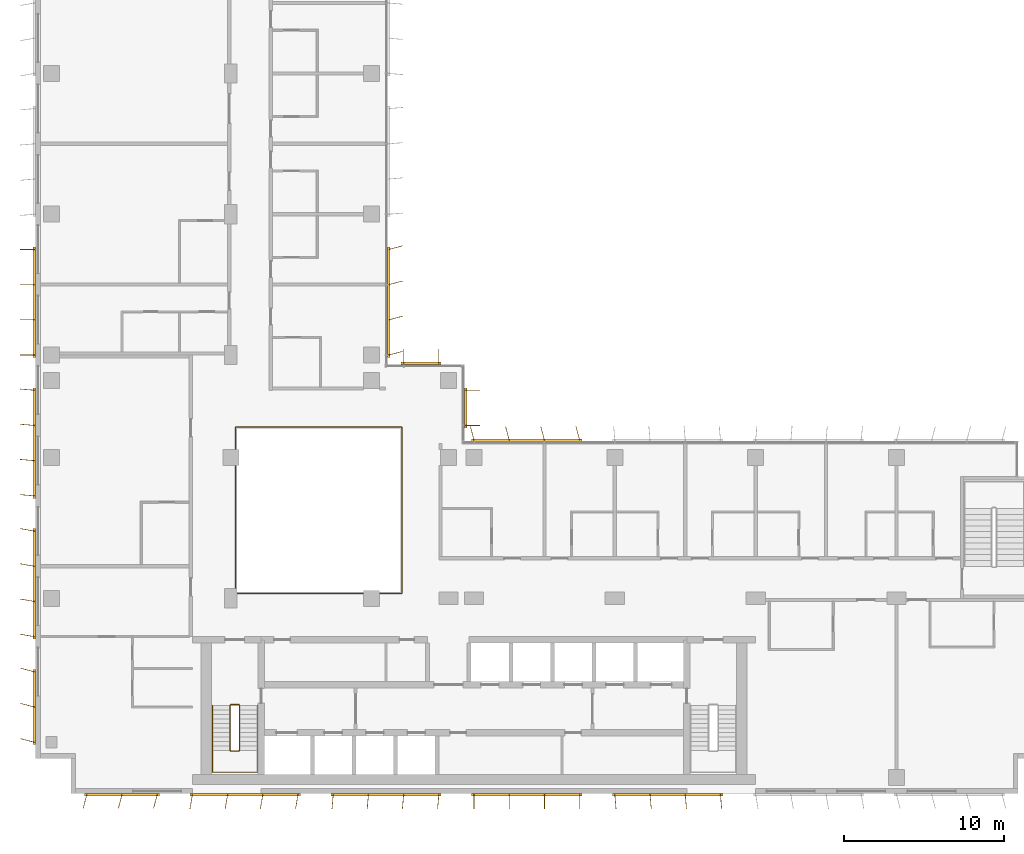
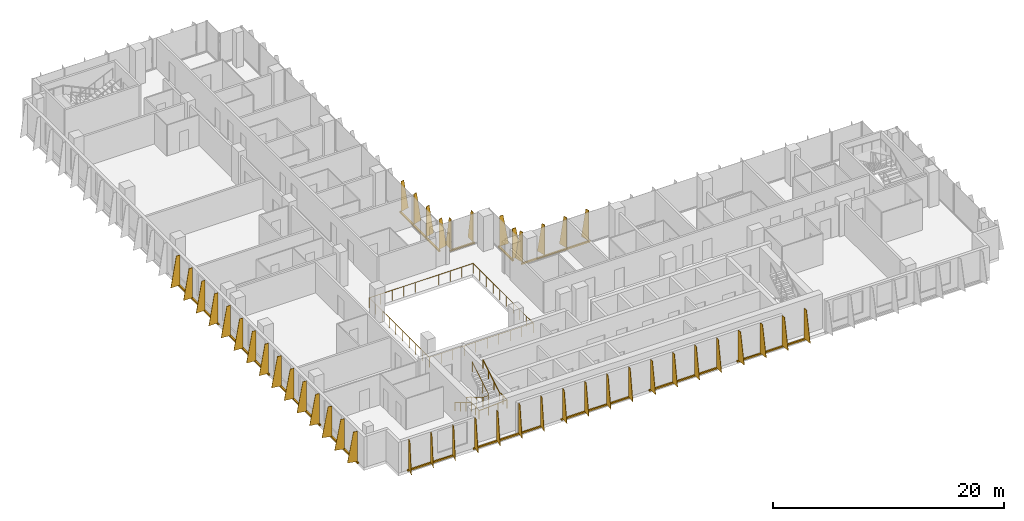
# One storey, part 19 of 21: 13 shading devices, 3 railings.
"""IFC4 building model written with IfcOpenShell, lengths in metres."""

from ifc_helpers import new_model, si_unit, direction, frame, origin, origin_2d, place, context, subcontext, project, spatial, polyline, rectangle, circle, outline, extrude, source, transform, mapped, material, layer, layer_set, type_object, element, save


model = new_model("IFC4")

# Units and contexts
model_context = context("Model", 3, precision=1e-05, world=origin(), true_north=direction((0.0, 1.0)))
body_context = subcontext(model_context, "Body", "Model", "MODEL_VIEW")
ifc_project = project(units=[si_unit("LENGTHUNIT", "METRE"), si_unit("AREAUNIT", "SQUARE_METRE"), si_unit("VOLUMEUNIT", "CUBIC_METRE"), si_unit("PLANEANGLEUNIT", "RADIAN"), si_unit("MASSUNIT", "GRAM", prefix="KILO")], contexts=[model_context])

# Site, building, storey
site_placement = place(None, origin())
site = spatial("IfcSite", under=ifc_project, at=site_placement, CompositionType="ELEMENT")
building_placement = place(site_placement, origin())
building = spatial("IfcBuilding", under=site, at=building_placement, Name="Kemantara Hotel Tower", CompositionType="ELEMENT")
storey_placement = place(building_placement, frame((0.0, 0.0, 219.10009765625)))
storey = spatial("IfcBuildingStorey", under=building, at=storey_placement, Name="L54", CompositionType="ELEMENT", Elevation=219.10009765625)

# Railings
ifc_material_1 = material(Name="Stainless steel and laminated glass balustrade", Category="steel")
railing_type_1 = type_object("IfcRailingType", Name="ATRIUM GUARD 1100", PredefinedType="GUARDRAIL", material=ifc_material_1)
railing_1_placement = place(storey_placement, frame((12.56005859375, 12.5, 0.0)))
element("IfcRailing", 1, at=railing_1_placement, inside=storey, type_object=railing_type_1, Name="ATRIUM GUARD L54", PredefinedType="GUARDRAIL", context=body_context, shape_type="SweptSolid", body=[
    extrude(circle(Radius=0.02490234375, at=origin_2d()), frame((0.0, 0.0, 1.0751953125), z_axis=(1.0, 0.0, 0.0), x_axis=(0.0, 1.0, 0.0)), (0.0, 0.0, 1.0), 10.33984375),
    extrude(circle(Radius=0.02490234375, at=origin_2d()), frame((10.33984375, 0.0, 1.0751953125), z_axis=(0.0, 1.0, 0.0), x_axis=(-1.0, 0.0, 0.0)), (0.0, 0.0, 1.0), 10.39990234375),
    extrude(circle(Radius=0.02490234375, at=origin_2d()), frame((10.33984375, 10.39990234375, 1.0751953125), z_axis=(-1.0, 0.0, 0.0), x_axis=(0.0, -1.0, 0.0)), (0.0, 0.0, 1.0), 10.39990234375),
    extrude(circle(Radius=0.02490234375, at=origin_2d()), frame((-0.06005859375, 10.39990234375, 1.0751953125), z_axis=(0.0, -1.0, 0.0), x_axis=(1.0, 0.0, 0.0)), (0.0, 0.0, 1.0), 10.39990234375),
    extrude(circle(Radius=0.02001953125, at=origin_2d()), origin(), (0.0, 0.0, 1.0), 1.050048828125),
    extrude(circle(Radius=0.02001953125, at=origin_2d()), frame((1.14892578125, 0.0, 0.0)), (0.0, 0.0, 1.0), 1.050048828125),
    extrude(circle(Radius=0.02001953125, at=origin_2d()), frame((2.2978515625, 0.0, 0.0)), (0.0, 0.0, 1.0), 1.050048828125),
    extrude(circle(Radius=0.02001953125, at=origin_2d()), frame((3.446533203125, 0.0, 0.0)), (0.0, 0.0, 1.0), 1.050048828125),
    extrude(circle(Radius=0.02001953125, at=origin_2d()), frame((4.595458984375, 0.0, 0.0)), (0.0, 0.0, 1.0), 1.050048828125),
    extrude(circle(Radius=0.02001953125, at=origin_2d()), frame((5.744384765625, 0.0, 0.0)), (0.0, 0.0, 1.0), 1.050048828125),
    extrude(circle(Radius=0.02001953125, at=origin_2d()), frame((6.893310546875, 0.0, 0.0)), (0.0, 0.0, 1.0), 1.050048828125),
    extrude(circle(Radius=0.02001953125, at=origin_2d()), frame((8.0419921875, 0.0, 0.0)), (0.0, 0.0, 1.0), 1.050048828125),
    extrude(circle(Radius=0.02001953125, at=origin_2d()), frame((9.19091796875, 0.0, 0.0)), (0.0, 0.0, 1.0), 1.050048828125),
    extrude(circle(Radius=0.02001953125, at=origin_2d()), frame((10.33984375, 0.0, 0.0)), (0.0, 0.0, 1.0), 1.050048828125),
    extrude(circle(Radius=0.02001953125, at=origin_2d()), frame((10.33984375, 1.155517578125, 0.0)), (0.0, 0.0, 1.0), 1.050048828125),
    extrude(circle(Radius=0.02001953125, at=origin_2d()), frame((10.33984375, 2.31103515625, 0.0)), (0.0, 0.0, 1.0), 1.050048828125),
    extrude(circle(Radius=0.02001953125, at=origin_2d()), frame((10.33984375, 3.466552734375, 0.0)), (0.0, 0.0, 1.0), 1.050048828125),
    extrude(circle(Radius=0.02001953125, at=origin_2d()), frame((10.33984375, 4.6220703125, 0.0)), (0.0, 0.0, 1.0), 1.050048828125),
    extrude(circle(Radius=0.02001953125, at=origin_2d()), frame((10.33984375, 5.77783203125, 0.0)), (0.0, 0.0, 1.0), 1.050048828125),
    extrude(circle(Radius=0.02001953125, at=origin_2d()), frame((10.33984375, 6.933349609375, 0.0)), (0.0, 0.0, 1.0), 1.050048828125),
    extrude(circle(Radius=0.02001953125, at=origin_2d()), frame((10.33984375, 8.0888671875, 0.0)), (0.0, 0.0, 1.0), 1.050048828125),
    extrude(circle(Radius=0.02001953125, at=origin_2d()), frame((10.33984375, 9.244384765625, 0.0)), (0.0, 0.0, 1.0), 1.050048828125),
    extrude(circle(Radius=0.02001953125, at=origin_2d()), frame((10.33984375, 10.39990234375, 0.0)), (0.0, 0.0, 1.0), 1.050048828125),
    extrude(circle(Radius=0.02001953125, at=origin_2d()), frame((9.184326171875, 10.39990234375, 0.0)), (0.0, 0.0, 1.0), 1.050048828125),
    extrude(circle(Radius=0.02001953125, at=origin_2d()), frame((8.02880859375, 10.39990234375, 0.0)), (0.0, 0.0, 1.0), 1.050048828125),
    extrude(circle(Radius=0.02001953125, at=origin_2d()), frame((6.873291015625, 10.39990234375, 0.0)), (0.0, 0.0, 1.0), 1.050048828125),
    extrude(circle(Radius=0.02001953125, at=origin_2d()), frame((5.7177734375, 10.39990234375, 0.0)), (0.0, 0.0, 1.0), 1.050048828125),
    extrude(circle(Radius=0.02001953125, at=origin_2d()), frame((4.56201171875, 10.39990234375, 0.0)), (0.0, 0.0, 1.0), 1.050048828125),
    extrude(circle(Radius=0.02001953125, at=origin_2d()), frame((3.406494140625, 10.39990234375, 0.0)), (0.0, 0.0, 1.0), 1.050048828125),
    extrude(circle(Radius=0.02001953125, at=origin_2d()), frame((2.2509765625, 10.39990234375, 0.0)), (0.0, 0.0, 1.0), 1.050048828125),
    extrude(circle(Radius=0.02001953125, at=origin_2d()), frame((1.095458984375, 10.39990234375, 0.0)), (0.0, 0.0, 1.0), 1.050048828125),
    extrude(circle(Radius=0.02001953125, at=origin_2d()), frame((-0.06005859375, 10.39990234375, 0.0)), (0.0, 0.0, 1.0), 1.050048828125),
    extrude(circle(Radius=0.02001953125, at=origin_2d()), frame((-0.06005859375, 9.244384765625, 0.0)), (0.0, 0.0, 1.0), 1.050048828125),
    extrude(circle(Radius=0.02001953125, at=origin_2d()), frame((-0.06005859375, 8.0888671875, 0.0)), (0.0, 0.0, 1.0), 1.050048828125),
    extrude(circle(Radius=0.02001953125, at=origin_2d()), frame((-0.06005859375, 6.933349609375, 0.0)), (0.0, 0.0, 1.0), 1.050048828125),
    extrude(circle(Radius=0.02001953125, at=origin_2d()), frame((-0.06005859375, 5.77783203125, 0.0)), (0.0, 0.0, 1.0), 1.050048828125),
    extrude(circle(Radius=0.02001953125, at=origin_2d()), frame((-0.06005859375, 4.6220703125, 0.0)), (0.0, 0.0, 1.0), 1.050048828125),
    extrude(circle(Radius=0.02001953125, at=origin_2d()), frame((-0.06005859375, 3.466552734375, 0.0)), (0.0, 0.0, 1.0), 1.050048828125),
    extrude(circle(Radius=0.02001953125, at=origin_2d()), frame((-0.06005859375, 2.31103515625, 0.0)), (0.0, 0.0, 1.0), 1.050048828125),
    extrude(circle(Radius=0.02001953125, at=origin_2d()), frame((-0.06005859375, 1.155517578125, 0.0)), (0.0, 0.0, 1.0), 1.050048828125),
    extrude(circle(Radius=0.02001953125, at=origin_2d()), frame((-0.06005859375, 0.0, 0.0)), (0.0, 0.0, 1.0), 1.050048828125),
])
ifc_material_2 = material(Name="Stainless steel balustrade", Category="steel")
railing_type_2 = type_object("IfcRailingType", Name="Stair guard 1100 mm", PredefinedType="GUARDRAIL", material=ifc_material_2)
railing_2_placement = place(storey_placement, frame((12.75, 5.5, 3.699951171875)))
element("IfcRailing", 2, at=railing_2_placement, inside=storey, type_object=railing_type_2, Name="L54 ST1 stair guard 1", PredefinedType="GUARDRAIL", context=body_context, shape_type="SweptSolid", body=[
    extrude(circle(Radius=0.02392578125, at=origin_2d()), frame((0.0, 0.0, 1.076171875), z_axis=(0.0, -0.857242210791, -0.514913383045), x_axis=(1.0, 0.0, 0.0)), (0.0, 0.0, 1.0), 3.266357421875),
    extrude(circle(Radius=0.02392578125, at=origin_2d()), frame((0.0, -2.800048828125, -0.60595703125), z_axis=(-0.274243871929, -0.274243871929, -0.92172696468), x_axis=(0.707106781187, -0.707106781187, 0.0)), (0.0, 0.0, 1.0), 0.1826171875),
    extrude(circle(Radius=0.02392578125, at=origin_2d()), frame((-0.050048828125, -2.85009765625, -0.77392578125), z_axis=(-1.0, 0.0, 0.0), x_axis=(0.0, -1.0, 0.0)), (0.0, 0.0, 1.0), 0.5),
    extrude(circle(Radius=0.02392578125, at=origin_2d()), frame((-0.550048828125, -2.85009765625, -0.77392578125), z_axis=(-0.707106781187, 0.707106781187, 0.0), x_axis=(-0.707106781187, -0.707106781187, 0.0)), (0.0, 0.0, 1.0), 0.07080078125),
    extrude(circle(Radius=0.02392578125, at=origin_2d()), frame((-0.60009765625, -2.800048828125, -0.77392578125), z_axis=(0.0, 0.857242210791, -0.514913383045), x_axis=(-1.0, 0.0, 0.0)), (0.0, 0.0, 1.0), 3.266357421875),
    extrude(circle(Radius=0.02392578125, at=origin_2d()), frame((-0.60009765625, 0.0, -2.4560546875), z_axis=(0.274582412415, 0.274582412415, -0.921525364591), x_axis=(-0.707106781187, 0.707106781187, 0.0)), (0.0, 0.0, 1.0), 0.182373046875),
    extrude(circle(Radius=0.02392578125, at=origin_2d()), frame((-0.550048828125, 0.050048828125, -2.6240234375), z_axis=(1.0, 0.0, 0.0), x_axis=(0.0, 1.0, 0.0)), (0.0, 0.0, 1.0), 0.5),
    extrude(circle(Radius=0.02099609375, at=origin_2d()), origin(), (0.0, 0.0, 1.0), 1.052001953125),
    extrude(circle(Radius=0.02099609375, at=origin_2d()), frame((0.0, -0.933349609375, -0.560546875)), (0.0, 0.0, 1.0), 1.052001953125),
    extrude(circle(Radius=0.02099609375, at=origin_2d()), frame((0.0, -1.86669921875, -1.121337890625)), (0.0, 0.0, 1.0), 1.052001953125),
    extrude(circle(Radius=0.02099609375, at=origin_2d()), frame((0.0, -2.800048828125, -1.681884765625)), (0.0, 0.0, 1.0), 1.052001953125),
    extrude(circle(Radius=0.02099609375, at=origin_2d()), frame((-0.050048828125, -2.85009765625, -1.85009765625)), (0.0, 0.0, 1.0), 1.052001953125),
    extrude(circle(Radius=0.02099609375, at=origin_2d()), frame((-0.550048828125, -2.85009765625, -1.85009765625)), (0.0, 0.0, 1.0), 1.052001953125),
    extrude(circle(Radius=0.02099609375, at=origin_2d()), frame((-0.60009765625, -2.800048828125, -1.85009765625)), (0.0, 0.0, 1.0), 1.052001953125),
    extrude(circle(Radius=0.02099609375, at=origin_2d()), frame((-0.60009765625, -1.86669921875, -2.41064453125)), (0.0, 0.0, 1.0), 1.052001953125),
    extrude(circle(Radius=0.02099609375, at=origin_2d()), frame((-0.60009765625, -0.933349609375, -2.971435546875)), (0.0, 0.0, 1.0), 1.052001953125),
    extrude(circle(Radius=0.02099609375, at=origin_2d()), frame((-0.60009765625, 0.0, -3.531982421875)), (0.0, 0.0, 1.0), 1.052001953125),
    extrude(circle(Radius=0.02099609375, at=origin_2d()), frame((-0.550048828125, 0.050048828125, -3.699951171875)), (0.0, 0.0, 1.0), 1.052001953125),
    extrude(circle(Radius=0.02099609375, at=origin_2d()), frame((-0.050048828125, 0.050048828125, -3.699951171875)), (0.0, 0.0, 1.0), 1.052001953125),
])
railing_type_3 = type_object("IfcRailingType", Name="Stair handrail 900 mm", PredefinedType="HANDRAIL", material=ifc_material_2)
railing_3_placement = place(storey_placement, frame((11.050048828125, 5.5, 0.16796875)))
element("IfcRailing", 3, at=railing_3_placement, inside=storey, type_object=railing_type_3, Name="L54 ST1 stair handrail 1", PredefinedType="HANDRAIL", context=body_context, shape_type="SweptSolid", body=[
    extrude(circle(Radius=0.02392578125, at=origin_2d()), frame((0.0, 0.0, 0.8759765625), z_axis=(0.0, -0.857242210791, 0.514913383045), x_axis=(1.0, 0.0, 0.0)), (0.0, 0.0, 1.0), 3.266357421875),
    extrude(circle(Radius=0.02392578125, at=origin_2d()), frame((0.0, -2.800048828125, 2.5576171875), z_axis=(0.0, -1.0, 0.0), x_axis=(1.0, 0.0, 0.0)), (0.0, 0.0, 1.0), 1.3798828125),
    extrude(circle(Radius=0.02392578125, at=origin_2d()), frame((0.0, -4.179931640625, 2.5576171875), z_axis=(0.998200367801, 0.0, 0.059966871865), x_axis=(0.0, 1.0, 0.0)), (0.0, 0.0, 1.0), 2.80517578125),
    extrude(circle(Radius=0.02392578125, at=origin_2d()), frame((2.800048828125, -4.179931640625, 2.72607421875), z_axis=(0.0, 1.0, 0.0), x_axis=(-1.0, 0.0, 0.0)), (0.0, 0.0, 1.0), 1.3798828125),
    extrude(circle(Radius=0.02392578125, at=origin_2d()), frame((2.800048828125, -2.800048828125, 2.72607421875), z_axis=(0.0, 0.857242210791, 0.514913383045), x_axis=(-1.0, 0.0, 0.0)), (0.0, 0.0, 1.0), 3.266357421875),
    extrude(circle(Radius=0.02099609375, at=origin_2d()), origin(), (0.0, 0.0, 1.0), 0.851806640625),
    extrude(circle(Radius=0.02099609375, at=origin_2d()), frame((0.0, -0.933349609375, 0.560546875)), (0.0, 0.0, 1.0), 0.851806640625),
    extrude(circle(Radius=0.02099609375, at=origin_2d()), frame((0.0, -1.86669921875, 1.121337890625)), (0.0, 0.0, 1.0), 0.851806640625),
    extrude(circle(Radius=0.02099609375, at=origin_2d()), frame((0.0, -2.800048828125, 1.681884765625)), (0.0, 0.0, 1.0), 0.851806640625),
    extrude(circle(Radius=0.02099609375, at=origin_2d()), frame((0.0, -3.489990234375, 1.681884765625)), (0.0, 0.0, 1.0), 0.851806640625),
    extrude(circle(Radius=0.02099609375, at=origin_2d()), frame((0.0, -4.179931640625, 1.681884765625)), (0.0, 0.0, 1.0), 0.851806640625),
    extrude(circle(Radius=0.02099609375, at=origin_2d()), frame((0.933349609375, -4.179931640625, 1.738037109375)), (0.0, 0.0, 1.0), 0.851806640625),
    extrude(circle(Radius=0.02099609375, at=origin_2d()), frame((1.86669921875, -4.179931640625, 1.7939453125)), (0.0, 0.0, 1.0), 0.851806640625),
    extrude(circle(Radius=0.02099609375, at=origin_2d()), frame((2.800048828125, -4.179931640625, 1.85009765625)), (0.0, 0.0, 1.0), 0.851806640625),
    extrude(circle(Radius=0.02099609375, at=origin_2d()), frame((2.800048828125, -3.489990234375, 1.85009765625)), (0.0, 0.0, 1.0), 0.851806640625),
    extrude(circle(Radius=0.02099609375, at=origin_2d()), frame((2.800048828125, -2.800048828125, 1.85009765625)), (0.0, 0.0, 1.0), 0.851806640625),
    extrude(circle(Radius=0.02099609375, at=origin_2d()), frame((2.800048828125, -1.86669921875, 2.41064453125)), (0.0, 0.0, 1.0), 0.851806640625),
    extrude(circle(Radius=0.02099609375, at=origin_2d()), frame((2.800048828125, -0.933349609375, 2.971435546875)), (0.0, 0.0, 1.0), 0.851806640625),
    extrude(circle(Radius=0.02099609375, at=origin_2d()), frame((2.800048828125, 0.0, 3.531982421875)), (0.0, 0.0, 1.0), 0.851806640625),
])

# Shading devices
ifc_material_3 = material(Name="Perforated aluminium plate 4 mm bronze anodised", Category="aluminium")
ifc_layer_1 = layer(ifc_material_3, 0.0400390625)
ifc_layer_set_1 = layer_set([ifc_layer_1], Name="Perforated aluminium plate 4 mm bronze anodised")
shading_device_type_1 = type_object("IfcShadingDeviceType", Name="SCREEN FIN CASSETTE, 3 BLADES AT -15.0 DEG, 3200 HIGH", PredefinedType="USERDEFINED", material=ifc_layer_set_1)
shared_shape_1 = source(origin(), body_context, "Body", "SweptSolid", [
    extrude(rectangle(XDim=4.699951171875, YDim=0.14990234375, at=origin_2d()), frame((2.199951171875, -0.074951171875, -0.14990234375), z_axis=(0.0, 0.0, 1.0), x_axis=(1.0, 0.0, 0.0)), (0.0, 0.0, 1.0), 0.14990234375),
    extrude(outline(polyline([(0.0, 0.0), (0.89990234375, 0.0), (0.35009765625, 3.199951171875), (0.0, 3.199951171875), (0.0, 0.0)])), frame((0.019287109375, -0.080078125, 0.0), z_axis=(-0.966437683387, 0.256901156343, 0.0), x_axis=(-0.256901156343, -0.966437683387, 0.0)), (0.0, 0.0, 1.0), 0.039794921875),
    extrude(outline(polyline([(0.0, 0.0), (0.89990234375, 0.0), (0.35009765625, 3.199951171875), (0.0, 3.199951171875), (0.0, 0.0)])), frame((2.21923828125, -0.080078125, 0.0), z_axis=(-0.966437683387, 0.256901156343, 0.0), x_axis=(-0.256901156343, -0.966437683387, 0.0)), (0.0, 0.0, 1.0), 0.039794921875),
    extrude(outline(polyline([(0.0, 0.0), (0.89990234375, 0.0), (0.35009765625, 3.199951171875), (0.0, 3.199951171875), (0.0, 0.0)])), frame((4.41943359375, -0.080078125, 0.0), z_axis=(-0.966837822169, 0.255391122837, 0.0), x_axis=(-0.255391122837, -0.966837822169, 0.0)), (0.0, 0.0, 1.0), 0.0400390625),
])
for number, where, z_axis, x_axis, name in (
    (4, (0.0, 7.60009765625, 0.099853515625), (0.0, 0.0, 1.0), (0.0, -1.0, 0.0), "SCREEN FIN CASSETTE L54 T3-R05-7"),
    (5, (3.199951171875, 0.0, 0.099853515625), (0.0, 0.0, 1.0), (1.0, 0.0, 0.0), "SCREEN FIN CASSETTE L54 T3-R08-1"),
):
    element("IfcShadingDevice", number, at=place(storey_placement, frame(where, z_axis=z_axis, x_axis=x_axis)), inside=storey, type_object=shading_device_type_1, Name=name, ObjectType="SCREEN FIN", PredefinedType="USERDEFINED", context=body_context, shape_type="MappedRepresentation", body=[
        mapped(shared_shape_1, transform((0.0, 0.0, 0.0))),
    ])
ifc_layer_2 = layer(ifc_material_3, 0.0400390625)
ifc_layer_set_2 = layer_set([ifc_layer_2], Name="Perforated aluminium plate 4 mm bronze anodised")
shading_device_type_2 = type_object("IfcShadingDeviceType", Name="SCREEN FIN CASSETTE, 4 BLADES AT -10.0 DEG, 3200 HIGH", PredefinedType="USERDEFINED", material=ifc_layer_set_2)
shared_shape_2 = source(origin(), body_context, "Body", "SweptSolid", [
    extrude(rectangle(XDim=6.89990234375, YDim=0.14990234375, at=origin_2d()), frame((3.300048828125, -0.074951171875, -0.14990234375), z_axis=(0.0, 0.0, 1.0), x_axis=(1.0, 0.0, 0.0)), (0.0, 0.0, 1.0), 0.14990234375),
    extrude(outline(polyline([(0.0, 0.0), (0.89990234375, 0.0), (0.35009765625, 3.199951171875), (0.0, 3.199951171875), (0.0, 0.0)])), frame((0.019775390625, -0.078369140625, 0.0), z_axis=(-0.985389793052, 0.170314285219, 0.0), x_axis=(-0.170314285219, -0.985389793052, 0.0)), (0.0, 0.0, 1.0), 0.0400390625),
    extrude(outline(polyline([(0.0, 0.0), (0.89990234375, 0.0), (0.35009765625, 3.199951171875), (0.0, 3.199951171875), (0.0, 0.0)])), frame((2.2197265625, -0.078369140625, 0.0), z_axis=(-0.98521175482, 0.171341174751, 0.0), x_axis=(-0.171341174751, -0.98521175482, 0.0)), (0.0, 0.0, 1.0), 0.039794921875),
    extrude(outline(polyline([(0.0, 0.0), (0.89990234375, 0.0), (0.35009765625, 3.199951171875), (0.0, 3.199951171875), (0.0, 0.0)])), frame((4.419677734375, -0.078369140625, 0.0), z_axis=(-0.98521175482, 0.171341174751, 0.0), x_axis=(-0.171341174751, -0.98521175482, 0.0)), (0.0, 0.0, 1.0), 0.039794921875),
    extrude(outline(polyline([(0.0, 0.0), (0.89990234375, 0.0), (0.35009765625, 3.199951171875), (0.0, 3.199951171875), (0.0, 0.0)])), frame((6.61962890625, -0.078369140625, 0.0), z_axis=(-0.98521175482, 0.171341174751, 0.0), x_axis=(-0.171341174751, -0.98521175482, 0.0)), (0.0, 0.0, 1.0), 0.039794921875),
])
for number, where, z_axis, x_axis, name in (
    (6, (0.0, 16.39990234375, 0.099853515625), (0.0, 0.0, 1.0), (0.0, -1.0, 0.0), "SCREEN FIN CASSETTE L54 T3-R05-6"),
    (7, (9.800048828125, 0.0, 0.099853515625), (0.0, 0.0, 1.0), (1.0, 0.0, 0.0), "SCREEN FIN CASSETTE L54 T3-R08-2"),
):
    element("IfcShadingDevice", number, at=place(storey_placement, frame(where, z_axis=z_axis, x_axis=x_axis)), inside=storey, type_object=shading_device_type_2, Name=name, ObjectType="SCREEN FIN", PredefinedType="USERDEFINED", context=body_context, shape_type="MappedRepresentation", body=[
        mapped(shared_shape_2, transform((0.0, 0.0, 0.0))),
    ])
ifc_layer_3 = layer(ifc_material_3, 0.0400390625)
ifc_layer_set_3 = layer_set([ifc_layer_3], Name="Perforated aluminium plate 4 mm bronze anodised")
shading_device_type_3 = type_object("IfcShadingDeviceType", Name="SCREEN FIN CASSETTE, 4 BLADES AT -5.0 DEG, 3200 HIGH", PredefinedType="USERDEFINED", material=ifc_layer_set_3)
shared_shape_3 = source(origin(), body_context, "Body", "SweptSolid", [
    extrude(rectangle(XDim=6.89990234375, YDim=0.14990234375, at=origin_2d()), frame((3.300048828125, -0.074951171875, -0.14990234375), z_axis=(0.0, 0.0, 1.0), x_axis=(1.0, 0.0, 0.0)), (0.0, 0.0, 1.0), 0.14990234375),
    extrude(outline(polyline([(0.0, 0.0), (0.89990234375, 0.0), (0.35009765625, 3.199951171875), (0.0, 3.199951171875), (0.0, 0.0)])), frame((0.02001953125, -0.07666015625, 0.0), z_axis=(-0.996376129781, 0.085056498884, 0.0), x_axis=(-0.085056498884, -0.996376129781, 0.0)), (0.0, 0.0, 1.0), 0.040283203125),
    extrude(outline(polyline([(0.0, 0.0), (0.89990234375, 0.0), (0.35009765625, 3.199951171875), (0.0, 3.199951171875), (0.0, 0.0)])), frame((2.219970703125, -0.07666015625, 0.0), z_axis=(-0.996331773833, 0.085574508182, 0.0), x_axis=(-0.085574508182, -0.996331773833, 0.0)), (0.0, 0.0, 1.0), 0.0400390625),
    extrude(outline(polyline([(0.0, 0.0), (0.89990234375, 0.0), (0.35009765625, 3.199951171875), (0.0, 3.199951171875), (0.0, 0.0)])), frame((4.419921875, -0.07666015625, 0.0), z_axis=(-0.996331773833, 0.085574508182, 0.0), x_axis=(-0.085574508182, -0.996331773833, 0.0)), (0.0, 0.0, 1.0), 0.0400390625),
    extrude(outline(polyline([(0.0, 0.0), (0.89990234375, 0.0), (0.35009765625, 3.199951171875), (0.0, 3.199951171875), (0.0, 0.0)])), frame((6.619873046875, -0.07666015625, 0.0), z_axis=(-0.996331773833, 0.085574508182, 0.0), x_axis=(-0.085574508182, -0.996331773833, 0.0)), (0.0, 0.0, 1.0), 0.0400390625),
])
for number, where, z_axis, x_axis, name in (
    (8, (0.0, 25.199951171875, 0.099853515625), (0.0, 0.0, 1.0), (0.0, -1.0, 0.0), "SCREEN FIN CASSETTE L54 T3-R05-5"),
    (9, (18.60009765625, 0.0, 0.099853515625), (0.0, 0.0, 1.0), (1.0, 0.0, 0.0), "SCREEN FIN CASSETTE L54 T3-R08-3"),
):
    element("IfcShadingDevice", number, at=place(storey_placement, frame(where, z_axis=z_axis, x_axis=x_axis)), inside=storey, type_object=shading_device_type_3, Name=name, ObjectType="SCREEN FIN", PredefinedType="USERDEFINED", context=body_context, shape_type="MappedRepresentation", body=[
        mapped(shared_shape_3, transform((0.0, 0.0, 0.0))),
    ])
ifc_layer_4 = layer(ifc_material_3, 0.0400390625)
ifc_layer_set_4 = layer_set([ifc_layer_4], Name="Perforated aluminium plate 4 mm bronze anodised")
shading_device_type_4 = type_object("IfcShadingDeviceType", Name="SCREEN FIN CASSETTE, 4 BLADES AT +0.0 DEG, 3200 HIGH", PredefinedType="USERDEFINED", material=ifc_layer_set_4)
shared_shape_4 = source(origin(), body_context, "Body", "SweptSolid", [
    extrude(rectangle(XDim=6.89990234375, YDim=0.14990234375, at=origin_2d()), frame((3.300048828125, -0.074951171875, -0.14990234375), z_axis=(0.0, 0.0, 1.0), x_axis=(1.0, 0.0, 0.0)), (0.0, 0.0, 1.0), 0.14990234375),
    extrude(outline(polyline([(0.0, 0.0), (0.89990234375, 0.0), (0.35009765625, 3.199951171875), (0.0, 3.199951171875), (0.0, 0.0)])), frame((0.02001953125, -0.074951171875, 0.0), z_axis=(-1.0, 0.0, 0.0), x_axis=(0.0, -1.0, 0.0)), (0.0, 0.0, 1.0), 0.0400390625),
    extrude(outline(polyline([(0.0, 0.0), (0.89990234375, 0.0), (0.35009765625, 3.199951171875), (0.0, 3.199951171875), (0.0, 0.0)])), frame((2.219970703125, -0.074951171875, 0.0), z_axis=(-1.0, 0.0, 0.0), x_axis=(0.0, -1.0, 0.0)), (0.0, 0.0, 1.0), 0.0400390625),
    extrude(outline(polyline([(0.0, 0.0), (0.89990234375, 0.0), (0.35009765625, 3.199951171875), (0.0, 3.199951171875), (0.0, 0.0)])), frame((4.419921875, -0.074951171875, 0.0), z_axis=(-1.0, 0.0, 0.0), x_axis=(0.0, -1.0, 0.0)), (0.0, 0.0, 1.0), 0.0400390625),
    extrude(outline(polyline([(0.0, 0.0), (0.89990234375, 0.0), (0.35009765625, 3.199951171875), (0.0, 3.199951171875), (0.0, 0.0)])), frame((6.6201171875, -0.074951171875, 0.0), z_axis=(-1.0, 0.0, 0.0), x_axis=(0.0, -1.0, 0.0)), (0.0, 0.0, 1.0), 0.0400390625),
])
for number, where, z_axis, x_axis, name in (
    (10, (0.0, 34.0, 0.099853515625), (0.0, 0.0, 1.0), (0.0, -1.0, 0.0), "SCREEN FIN CASSETTE L54 T3-R05-4"),
    (11, (27.39990234375, 0.0, 0.099853515625), (0.0, 0.0, 1.0), (1.0, 0.0, 0.0), "SCREEN FIN CASSETTE L54 T3-R08-4"),
):
    element("IfcShadingDevice", number, at=place(storey_placement, frame(where, z_axis=z_axis, x_axis=x_axis)), inside=storey, type_object=shading_device_type_4, Name=name, ObjectType="SCREEN FIN", PredefinedType="USERDEFINED", context=body_context, shape_type="MappedRepresentation", body=[
        mapped(shared_shape_4, transform((0.0, 0.0, 0.0))),
    ])
ifc_layer_5 = layer(ifc_material_3, 0.0400390625)
ifc_layer_set_5 = layer_set([ifc_layer_5], Name="Perforated aluminium plate 4 mm bronze anodised")
shading_device_type_5 = type_object("IfcShadingDeviceType", Name="SCREEN FIN CASSETTE, 4 BLADES AT +5.0 DEG, 3200 HIGH", PredefinedType="USERDEFINED", material=ifc_layer_set_5)
shared_shape_5 = source(origin(), body_context, "Body", "SweptSolid", [
    extrude(rectangle(XDim=6.89990234375, YDim=0.14990234375, at=origin_2d()), frame((3.300048828125, -0.074951171875, -0.14990234375), z_axis=(0.0, 0.0, 1.0), x_axis=(1.0, 0.0, 0.0)), (0.0, 0.0, 1.0), 0.14990234375),
    extrude(outline(polyline([(0.0, 0.0), (0.89990234375, 0.0), (0.35009765625, 3.199951171875), (0.0, 3.199951171875), (0.0, 0.0)])), frame((0.02001953125, -0.0732421875, 0.0), z_axis=(-0.996376129781, -0.085056498884, 0.0), x_axis=(0.085056498884, -0.996376129781, 0.0)), (0.0, 0.0, 1.0), 0.040283203125),
    extrude(outline(polyline([(0.0, 0.0), (0.89990234375, 0.0), (0.35009765625, 3.199951171875), (0.0, 3.199951171875), (0.0, 0.0)])), frame((2.219970703125, -0.0732421875, 0.0), z_axis=(-0.996331773833, -0.085574508182, 0.0), x_axis=(0.085574508182, -0.996331773833, 0.0)), (0.0, 0.0, 1.0), 0.0400390625),
    extrude(outline(polyline([(0.0, 0.0), (0.89990234375, 0.0), (0.35009765625, 3.199951171875), (0.0, 3.199951171875), (0.0, 0.0)])), frame((4.419921875, -0.0732421875, 0.0), z_axis=(-0.996331773833, -0.085574508182, 0.0), x_axis=(0.085574508182, -0.996331773833, 0.0)), (0.0, 0.0, 1.0), 0.0400390625),
    extrude(outline(polyline([(0.0, 0.0), (0.89990234375, 0.0), (0.35009765625, 3.199951171875), (0.0, 3.199951171875), (0.0, 0.0)])), frame((6.619873046875, -0.0732421875, 0.0), z_axis=(-0.996331773833, -0.085574508182, 0.0), x_axis=(0.085574508182, -0.996331773833, 0.0)), (0.0, 0.0, 1.0), 0.0400390625),
])
shading_device_placement = place(storey_placement, frame((36.199951171875, 0.0, 0.099853515625), z_axis=(0.0, 0.0, 1.0), x_axis=(1.0, 0.0, 0.0)))
element("IfcShadingDevice", 12, at=shading_device_placement, inside=storey, type_object=shading_device_type_5, Name="SCREEN FIN CASSETTE L54 T3-R08-5", ObjectType="SCREEN FIN", PredefinedType="USERDEFINED", context=body_context, shape_type="MappedRepresentation", body=[
    mapped(shared_shape_5, transform((0.0, 0.0, 0.0))),
])
ifc_layer_6 = layer(ifc_material_3, 0.0400390625)
ifc_layer_set_6 = layer_set([ifc_layer_6], Name="Perforated aluminium plate 4 mm bronze anodised")
shading_device_type_6 = type_object("IfcShadingDeviceType", Name="SCREEN FIN CASSETTE, 4 BLADES AT +15.0 DEG, 3200 HIGH", PredefinedType="USERDEFINED", material=ifc_layer_set_6)
shared_shape_6 = source(origin(), body_context, "Body", "SweptSolid", [
    extrude(rectangle(XDim=6.89990234375, YDim=0.14990234375, at=origin_2d()), frame((3.300048828125, -0.074951171875, -0.14990234375), z_axis=(0.0, 0.0, 1.0), x_axis=(1.0, 0.0, 0.0)), (0.0, 0.0, 1.0), 0.14990234375),
    extrude(outline(polyline([(0.0, 0.0), (0.89990234375, 0.0), (0.35009765625, 3.199951171875), (0.0, 3.199951171875), (0.0, 0.0)])), frame((0.019287109375, -0.06982421875, 0.0), z_axis=(-0.966437683387, -0.256901156343, 0.0), x_axis=(0.256901156343, -0.966437683387, 0.0)), (0.0, 0.0, 1.0), 0.039794921875),
    extrude(outline(polyline([(0.0, 0.0), (0.89990234375, 0.0), (0.35009765625, 3.199951171875), (0.0, 3.199951171875), (0.0, 0.0)])), frame((2.21923828125, -0.06982421875, 0.0), z_axis=(-0.966437683387, -0.256901156343, 0.0), x_axis=(0.256901156343, -0.966437683387, 0.0)), (0.0, 0.0, 1.0), 0.039794921875),
    extrude(outline(polyline([(0.0, 0.0), (0.89990234375, 0.0), (0.35009765625, 3.199951171875), (0.0, 3.199951171875), (0.0, 0.0)])), frame((4.41943359375, -0.06982421875, 0.0), z_axis=(-0.966837822169, -0.255391122837, 0.0), x_axis=(0.255391122837, -0.966837822169, 0.0)), (0.0, 0.0, 1.0), 0.0400390625),
    extrude(outline(polyline([(0.0, 0.0), (0.89990234375, 0.0), (0.35009765625, 3.199951171875), (0.0, 3.199951171875), (0.0, 0.0)])), frame((6.619384765625, -0.06982421875, 0.0), z_axis=(-0.966837822169, -0.255391122837, 0.0), x_axis=(0.255391122837, -0.966837822169, 0.0)), (0.0, 0.0, 1.0), 0.0400390625),
])
for number, where, z_axis, x_axis, name in (
    (13, (34.0, 22.0, 0.099853515625), (0.0, 0.0, 1.0), (-1.0, 0.0, 0.0), "SCREEN FIN CASSETTE L54 T3-R14-4"),
    (14, (22.0, 27.39990234375, 0.099853515625), (0.0, 0.0, 1.0), (0.0, 1.0, 0.0), "SCREEN FIN CASSETTE L54 T3-R17-1"),
):
    element("IfcShadingDevice", number, at=place(storey_placement, frame(where, z_axis=z_axis, x_axis=x_axis)), inside=storey, type_object=shading_device_type_6, Name=name, ObjectType="SCREEN FIN", PredefinedType="USERDEFINED", context=body_context, shape_type="MappedRepresentation", body=[
        mapped(shared_shape_6, transform((0.0, 0.0, 0.0))),
    ])
ifc_layer_7 = layer(ifc_material_3, 0.0400390625)
ifc_layer_set_7 = layer_set([ifc_layer_7], Name="Perforated aluminium plate 4 mm bronze anodised")
shading_device_type_7 = type_object("IfcShadingDeviceType", Name="SCREEN FIN CASSETTE, 2 BLADES AT +0.0 DEG, 3200 HIGH", PredefinedType="USERDEFINED", material=ifc_layer_set_7)
shared_shape_7 = source(origin(), body_context, "Body", "SweptSolid", [
    extrude(rectangle(XDim=2.5, YDim=0.14990234375, at=origin_2d()), frame((1.10009765625, -0.074951171875, -0.14990234375), z_axis=(0.0, 0.0, 1.0), x_axis=(1.0, 0.0, 0.0)), (0.0, 0.0, 1.0), 0.14990234375),
    extrude(outline(polyline([(0.0, 0.0), (0.89990234375, 0.0), (0.35009765625, 3.199951171875), (0.0, 3.199951171875), (0.0, 0.0)])), frame((0.02001953125, -0.074951171875, 0.0), z_axis=(-1.0, 0.0, 0.0), x_axis=(0.0, -1.0, 0.0)), (0.0, 0.0, 1.0), 0.0400390625),
    extrude(outline(polyline([(0.0, 0.0), (0.89990234375, 0.0), (0.35009765625, 3.199951171875), (0.0, 3.199951171875), (0.0, 0.0)])), frame((2.219970703125, -0.074951171875, 0.0), z_axis=(-1.0, 0.0, 0.0), x_axis=(0.0, -1.0, 0.0)), (0.0, 0.0, 1.0), 0.0400390625),
])
for number, where, z_axis, x_axis, name in (
    (15, (26.800048828125, 23.0, 0.099853515625), (0.0, 0.0, 1.0), (0.0, 1.0, 0.0), "SCREEN FIN CASSETTE L54 T3-R15-1"),
    (16, (25.199951171875, 26.800048828125, 0.099853515625), (0.0, 0.0, 1.0), (-1.0, 0.0, 0.0), "SCREEN FIN CASSETTE L54 T3-R16-1"),
):
    element("IfcShadingDevice", number, at=place(storey_placement, frame(where, z_axis=z_axis, x_axis=x_axis)), inside=storey, type_object=shading_device_type_7, Name=name, ObjectType="SCREEN FIN", PredefinedType="USERDEFINED", context=body_context, shape_type="MappedRepresentation", body=[
        mapped(shared_shape_7, transform((0.0, 0.0, 0.0))),
    ])

save(model, "model.ifc")
